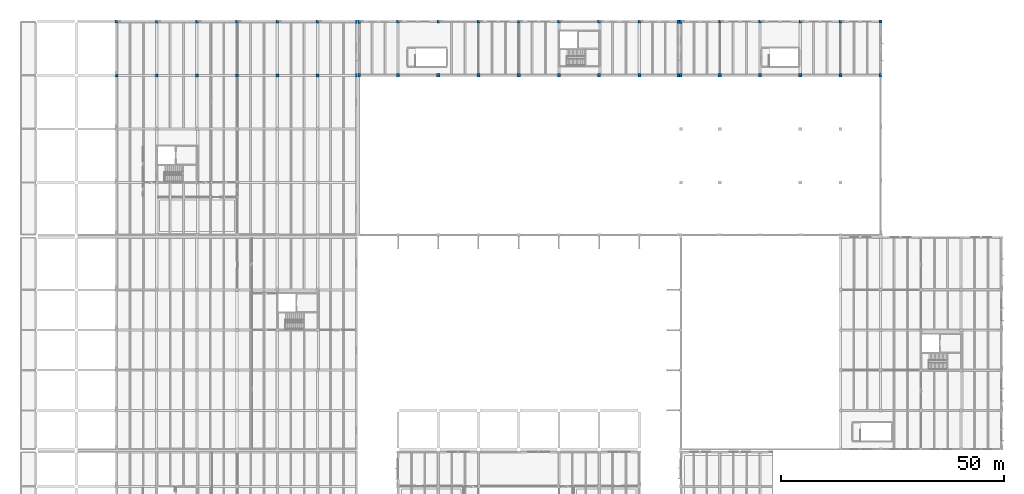
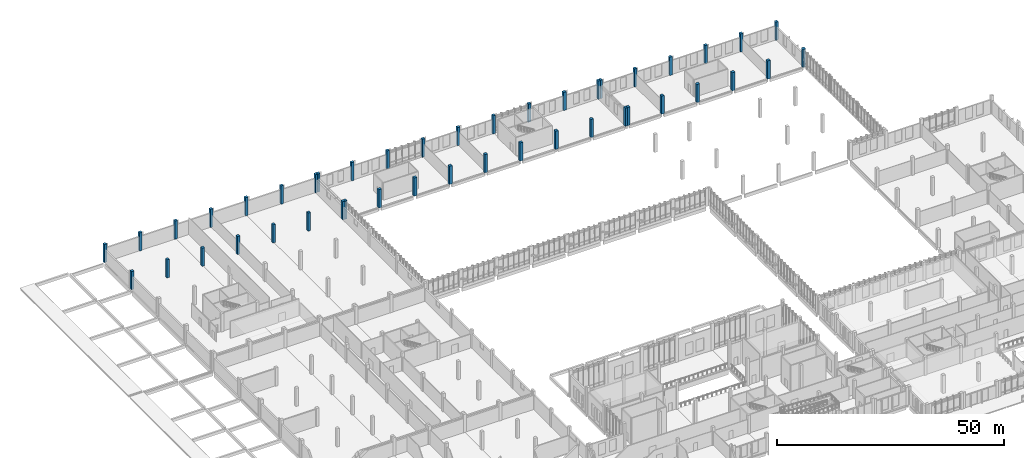
# One storey, part 10 of 110: 44 columns.
"""IFC4 building model written with IfcOpenShell, lengths in metres."""

import ifcopenshell
import ifcopenshell.guid

model = None  # the IFC model being written
_history = None  # IfcOwnerHistory: only IFC2X3 demands one
_inside = {}  # id of a spatial element -> (the spatial element, [elements in it])
_under = {}  # id of a project, library or spatial element -> (it, [spatial elements below it])
_declared = {}  # id of a project -> (the project, [libraries it declares])
_typed = {}  # id of a type object -> (the type object, [elements of that type])
_made_of = {}  # id of a material, layer set ... -> (it, [elements and type objects made of it])


def new_model(schema):
    """Start an empty IFC model of exactly this schema.

    Asked for "IFC4X3", IfcOpenShell would pick the latest addendum, in which some entities
    have other attributes; the version numbers below select the first issue.
    IFC2X3 requires an IfcOwnerHistory on every rooted entity: one is made here for all.
    """
    global model, _history
    if schema == "IFC4X3":
        model = ifcopenshell.file(schema_version=(4, 3, 0, 0))
    else:
        model = ifcopenshell.file(schema=schema)
    _inside.clear()
    _under.clear()
    _declared.clear()
    _typed.clear()
    _made_of.clear()
    _history = None
    if model.schema == "IFC2X3":
        org = make("IfcOrganization", Name="unknown")
        user = make(
            "IfcPersonAndOrganization",
            ThePerson=make("IfcPerson", FamilyName="unknown"),
            TheOrganization=org,
        )
        app = make(
            "IfcApplication",
            ApplicationDeveloper=org,
            Version="unknown",
            ApplicationFullName="unknown",
            ApplicationIdentifier="unknown",
        )
        _history = make(
            "IfcOwnerHistory",
            OwningUser=user,
            OwningApplication=app,
            ChangeAction="ADDED",
            CreationDate=0,
        )
    return model


def make(cls, **values):
    """One entity of the class cls with the attributes given. An attribute that is None is left unset."""
    return model.create_entity(
        cls, **{name: value for name, value in values.items() if value is not None}
    )


def rooted(cls, **values):
    """An entity with a GlobalId (a new one), such as an element, a storey or a relation."""
    return make(cls, GlobalId=ifcopenshell.guid.new(), OwnerHistory=_history, **values)


def si_unit(unit_type, name, prefix=None):
    """IfcSIUnit, for example si_unit("LENGTHUNIT", "METRE", prefix="MILLI")."""
    return make("IfcSIUnit", UnitType=unit_type, Prefix=prefix, Name=name)


def assignment(units):
    """IfcUnitAssignment: the units of a project."""
    return None if units is None else make("IfcUnitAssignment", Units=units)


def point(xyz):
    """IfcCartesianPoint."""
    return None if xyz is None else make("IfcCartesianPoint", Coordinates=xyz)


def direction(xyz):
    """IfcDirection."""
    return None if xyz is None else make("IfcDirection", DirectionRatios=xyz)


def frame(location, z_axis=None, x_axis=None):
    """IfcAxis2Placement3D, a coordinate frame: its origin and axes. An axis left out is left unset."""
    return make(
        "IfcAxis2Placement3D",
        Location=point(location),
        Axis=direction(z_axis),
        RefDirection=direction(x_axis),
    )


def frame_2d(location, x_axis=None):
    """IfcAxis2Placement2D, a coordinate frame in the plane: its origin and x axis."""
    return make(
        "IfcAxis2Placement2D", Location=point(location), RefDirection=direction(x_axis)
    )


def origin():
    """The frame at (0, 0, 0) with its axes left unset."""
    return frame((0.0, 0.0, 0.0))


def origin_2d():
    """The frame at (0, 0) in the plane with its x axis left unset."""
    return frame_2d((0.0, 0.0))


def place(relative_to, where):
    """IfcLocalPlacement: puts the frame where relative to a parent placement (None: the world)."""
    return make(
        "IfcLocalPlacement", PlacementRelTo=relative_to, RelativePlacement=where
    )


def context(
    kind, dimensions, precision=None, world=None, true_north=None, identifier=None
):
    """IfcGeometricRepresentationContext, for example the 3D "Model" context."""
    return make(
        "IfcGeometricRepresentationContext",
        ContextIdentifier=identifier,
        ContextType=kind,
        CoordinateSpaceDimension=dimensions,
        Precision=precision,
        WorldCoordinateSystem=world,
        TrueNorth=true_north,
    )


def subcontext(parent, identifier, kind, view, scale=None):
    """IfcGeometricRepresentationSubContext, for example "Body" below "Model"."""
    return make(
        "IfcGeometricRepresentationSubContext",
        ContextIdentifier=identifier,
        ContextType=kind,
        ParentContext=parent,
        TargetScale=scale,
        TargetView=view,
    )


def project(units=None, contexts=None):
    """IfcProject with its units and contexts."""
    return rooted(
        "IfcProject",
        Name="project",
        RepresentationContexts=contexts,
        UnitsInContext=assignment(units),
    )


def spatial(cls, under=None, at=None, **own):
    """A site, building, storey or space (cls), placed at a placement, below another one or the project."""
    s = rooted(cls, ObjectPlacement=at, **own)
    if under is not None:
        _under.setdefault(under.id(), (under, []))[1].append(s)
    return s


def profile(cls, at=None, kind="AREA", **sizes):
    """A parametric profile (cls). Its sizes go by their IFC names, for example OverallWidth=200.0."""
    return make(cls, ProfileType=kind, Position=at, **sizes)


def rectangle(**sizes):
    """IfcRectangleProfileDef."""
    return profile("IfcRectangleProfileDef", **sizes)


def extrude(swept, where, along, depth):
    """IfcExtrudedAreaSolid: the profile swept, set in the frame where, extruded along a direction by depth."""
    return make(
        "IfcExtrudedAreaSolid",
        SweptArea=swept,
        Position=where,
        ExtrudedDirection=direction(along),
        Depth=depth,
    )


def shape(context_of_items, identifier, shape_type, items):
    """IfcShapeRepresentation: the items that make up one representation, for example the "Body"."""
    return make(
        "IfcShapeRepresentation",
        ContextOfItems=context_of_items,
        RepresentationIdentifier=identifier,
        RepresentationType=shape_type,
        Items=items,
    )


def material(Name=None, Category=None):
    """IfcMaterial."""
    return make("IfcMaterial", Name=Name, Category=Category)


def material_profile(
    of_material, cross_section, Name=None, Category=None, Priority=None
):
    """IfcMaterialProfile: a cross section and its material."""
    return make(
        "IfcMaterialProfile",
        Name=Name,
        Material=of_material,
        Profile=cross_section,
        Priority=Priority,
        Category=Category,
    )


def profile_set(profiles, Name=None, composite=None):
    """IfcMaterialProfileSet."""
    return make(
        "IfcMaterialProfileSet",
        Name=Name,
        MaterialProfiles=profiles,
        CompositeProfile=composite,
    )


def made_of(thing, what):
    """Note that an element or type object is made of a material, layer set ...; save() writes the relation."""
    if what is not None:
        _made_of.setdefault(what.id(), (what, []))[1].append(thing)
    return thing


def type_object(cls, material=None, **own):
    """A type object (cls), such as IfcWallType, which elements share."""
    return made_of(rooted(cls, **own), material)


def element(
    cls,
    number,
    at=None,
    inside=None,
    cuts=None,
    type_object=None,
    material=None,
    context=None,
    identifier="Body",
    shape_type=None,
    held_by="IfcProductDefinitionShape",
    body=None,
    shapes=None,
    **own,
):
    """One element of the class cls, such as IfcWall. Its Tag is "e" and its number.

    at: its placement. inside: the storey or other place that contains it. cuts: it is an
    opening in that element (IfcRelVoidsElement). A single representation is given by context,
    identifier, shape_type and body (its items); several are given by shapes. held_by: the class
    of the entity that holds the representations. save() writes the other relations.
    """
    e = rooted(cls, Tag="e%d" % number, ObjectPlacement=at, **own)
    if body is not None:
        shapes = [shape(context, identifier, shape_type, body)]
    if shapes is not None:
        e.Representation = make(held_by, Representations=shapes)
    if inside is not None:
        _inside.setdefault(inside.id(), (inside, []))[1].append(e)
    if cuts is not None:
        rooted(
            "IfcRelVoidsElement", RelatingBuildingElement=cuts, RelatedOpeningElement=e
        )
    if type_object is not None:
        _typed.setdefault(type_object.id(), (type_object, []))[1].append(e)
    return made_of(e, material)


def aggregate(whole, parts):
    """IfcRelAggregates: a whole, such as a stair, and the parts it consists of."""
    return rooted("IfcRelAggregates", RelatingObject=whole, RelatedObjects=parts)


def save(model, path):
    """Write the relations noted so far, then the file.

    IfcRelAggregates (storeys below a building ...), IfcRelContainedInSpatialStructure (elements
    in a storey), IfcRelDefinesByType, IfcRelAssociatesMaterial and IfcRelDeclares: one each for
    every whole, place, type object, material and project.
    """
    for whole, parts in _under.values():
        aggregate(whole, parts)
    for where, things in _inside.values():
        rooted(
            "IfcRelContainedInSpatialStructure",
            RelatedElements=things,
            RelatingStructure=where,
        )
    for kind, things in _typed.values():
        rooted("IfcRelDefinesByType", RelatedObjects=things, RelatingType=kind)
    for what, things in _made_of.values():
        rooted("IfcRelAssociatesMaterial", RelatedObjects=things, RelatingMaterial=what)
    for by, libraries in _declared.values():
        rooted("IfcRelDeclares", RelatingContext=by, RelatedDefinitions=libraries)
    model.write(path)


model = new_model("IFC4")

# Units and contexts
model_context = context("Model", 3, precision=1e-05, world=origin(), true_north=direction((0.0, 1.0)))
body_context = subcontext(model_context, "Body", "Model", "MODEL_VIEW")
ifc_project = project(units=[si_unit("LENGTHUNIT", "METRE"), si_unit("AREAUNIT", "SQUARE_METRE"), si_unit("VOLUMEUNIT", "CUBIC_METRE"), si_unit("PLANEANGLEUNIT", "RADIAN"), si_unit("MASSUNIT", "GRAM", prefix="KILO")], contexts=[model_context])

# Site, building, storey
site_placement = place(None, origin())
site = spatial("IfcSite", under=ifc_project, at=site_placement, CompositionType="ELEMENT")
building_placement = place(site_placement, origin())
building = spatial("IfcBuilding", under=site, at=building_placement, Name="Zacnel Wholesale Market", CompositionType="ELEMENT")
storey_placement = place(building_placement, frame((0.0, 0.0, 6.300048828125)))
storey = spatial("IfcBuildingStorey", under=building, at=storey_placement, Name="L02", CompositionType="ELEMENT", Elevation=6.300048828125)

# Columns
ifc_material_1 = material(Name="Precast concrete C45/55", Category="concrete")
ifc_material_profile_1 = material_profile(ifc_material_1, rectangle(XDim=0.550048828125, YDim=0.75, at=origin_2d()), Name="PC 550x750")
ifc_profile_set_1 = profile_set([ifc_material_profile_1], Name="Precast concrete C45/55")
column_type_1 = type_object("IfcColumnType", Name="COL-MJ550X750", PredefinedType="COLUMN", material=ifc_profile_set_1)
for number, where, z_axis, x_axis, name in (
    (1, (71.699951171875, 132.0, 0.0), (0.0, 0.0, 1.0), (1.0, 0.0, 0.0), "Precast column L02-0455"),
    (2, (71.699951171875, 144.0, 0.0), (0.0, 0.0, 1.0), (1.0, 0.0, 0.0), "Precast column L02-0456"),
    (3, (72.300048828125, 132.0, 0.0), (0.0, 0.0, 1.0), (1.0, 0.0, 0.0), "Precast column L02-0462"),
    (4, (72.300048828125, 144.0, 0.0), (0.0, 0.0, 1.0), (1.0, 0.0, 0.0), "Precast column L02-0463"),
    (5, (143.699951171875, 132.0, 0.0), (0.0, 0.0, 1.0), (1.0, 0.0, 0.0), "Precast column L02-0528"),
    (6, (143.699951171875, 144.0, 0.0), (0.0, 0.0, 1.0), (1.0, 0.0, 0.0), "Precast column L02-0529"),
    (7, (144.300048828125, 132.0, 0.0), (0.0, 0.0, 1.0), (1.0, 0.0, 0.0), "Precast column L02-0544"),
    (8, (144.300048828125, 144.0, 0.0), (0.0, 0.0, 1.0), (1.0, 0.0, 0.0), "Precast column L02-0545"),
):
    element("IfcColumn", number, at=place(storey_placement, frame(where, z_axis=z_axis, x_axis=x_axis)), inside=storey, type_object=column_type_1, Name=name, PredefinedType="COLUMN", context=body_context, shape_type="SweptSolid", body=[
        extrude(rectangle(XDim=0.550048828125, YDim=0.75, at=origin_2d()), origin(), (0.0, 0.0, 1.0), 4.89990234375),
    ])
ifc_material_2 = material(Name="Precast concrete C45/55", Category="concrete")
ifc_material_profile_2 = material_profile(ifc_material_2, rectangle(XDim=0.64990234375, YDim=0.64990234375, at=origin_2d()), Name="PC 650x650")
ifc_profile_set_2 = profile_set([ifc_material_profile_2], Name="Precast concrete C45/55")
column_type_2 = type_object("IfcColumnType", Name="COL-PC650", PredefinedType="COLUMN", material=ifc_profile_set_2)
for number, where, z_axis, x_axis, name in (
    (9, (18.0, 132.0, 0.0), (0.0, 0.0, 1.0), (1.0, 0.0, 0.0), "Precast column L02-0365"),
    (10, (18.0, 144.0, 0.0), (0.0, 0.0, 1.0), (1.0, 0.0, 0.0), "Precast column L02-0366"),
    (11, (27.0, 132.0, 0.0), (0.0, 0.0, 1.0), (1.0, 0.0, 0.0), "Precast column L02-0380"),
    (12, (27.0, 144.0, 0.0), (0.0, 0.0, 1.0), (1.0, 0.0, 0.0), "Precast column L02-0381"),
    (13, (36.0, 132.0, 0.0), (0.0, 0.0, 1.0), (1.0, 0.0, 0.0), "Precast column L02-0395"),
    (14, (36.0, 144.0, 0.0), (0.0, 0.0, 1.0), (1.0, 0.0, 0.0), "Precast column L02-0396"),
    (15, (45.0, 132.0, 0.0), (0.0, 0.0, 1.0), (1.0, 0.0, 0.0), "Precast column L02-0410"),
    (16, (45.0, 144.0, 0.0), (0.0, 0.0, 1.0), (1.0, 0.0, 0.0), "Precast column L02-0411"),
    (17, (54.0, 132.0, 0.0), (0.0, 0.0, 1.0), (1.0, 0.0, 0.0), "Precast column L02-0425"),
    (18, (54.0, 144.0, 0.0), (0.0, 0.0, 1.0), (1.0, 0.0, 0.0), "Precast column L02-0426"),
    (19, (63.0, 132.0, 0.0), (0.0, 0.0, 1.0), (1.0, 0.0, 0.0), "Precast column L02-0440"),
    (20, (63.0, 144.0, 0.0), (0.0, 0.0, 1.0), (1.0, 0.0, 0.0), "Precast column L02-0441"),
    (21, (81.0, 144.0, 0.0), (0.0, 0.0, 1.0), (1.0, 0.0, 0.0), "Precast column L02-0473"),
    (22, (90.0, 144.0, 0.0), (0.0, 0.0, 1.0), (1.0, 0.0, 0.0), "Precast column L02-0483"),
    (23, (99.0, 144.0, 0.0), (0.0, 0.0, 1.0), (1.0, 0.0, 0.0), "Precast column L02-0493"),
    (24, (108.0, 144.0, 0.0), (0.0, 0.0, 1.0), (1.0, 0.0, 0.0), "Precast column L02-0500"),
    (25, (117.0, 144.0, 0.0), (0.0, 0.0, 1.0), (1.0, 0.0, 0.0), "Precast column L02-0508"),
    (26, (126.0, 144.0, 0.0), (0.0, 0.0, 1.0), (1.0, 0.0, 0.0), "Precast column L02-0516"),
    (27, (135.0, 144.0, 0.0), (0.0, 0.0, 1.0), (1.0, 0.0, 0.0), "Precast column L02-0524"),
    (28, (153.0, 144.0, 0.0), (0.0, 0.0, 1.0), (1.0, 0.0, 0.0), "Precast column L02-0555"),
    (29, (162.0, 144.0, 0.0), (0.0, 0.0, 1.0), (1.0, 0.0, 0.0), "Precast column L02-0565"),
    (30, (171.0, 144.0, 0.0), (0.0, 0.0, 1.0), (1.0, 0.0, 0.0), "Precast column L02-0575"),
    (31, (189.0, 144.0, 0.0), (0.0, 0.0, 1.0), (1.0, 0.0, 0.0), "Precast column L02-0606"),
):
    element("IfcColumn", number, at=place(storey_placement, frame(where, z_axis=z_axis, x_axis=x_axis)), inside=storey, type_object=column_type_2, Name=name, PredefinedType="COLUMN", context=body_context, shape_type="SweptSolid", body=[
        extrude(rectangle(XDim=0.64990234375, YDim=0.64990234375, at=origin_2d()), origin(), (0.0, 0.0, 1.0), 4.89990234375),
    ])
ifc_material_3 = material(Name="Precast concrete C45/55", Category="concrete")
ifc_material_profile_3 = material_profile(ifc_material_3, rectangle(XDim=0.699951171875, YDim=0.699951171875, at=origin_2d()), Name="PC 700x700")
ifc_profile_set_3 = profile_set([ifc_material_profile_3], Name="Precast concrete C45/55")
column_type_3 = type_object("IfcColumnType", Name="COL-PC700", PredefinedType="COLUMN", material=ifc_profile_set_3)
for number, where, z_axis, x_axis, name in (
    (32, (81.0, 132.0, 0.0), (0.0, 0.0, 1.0), (1.0, 0.0, 0.0), "Precast column L02-0472"),
    (33, (90.0, 132.0, 0.0), (0.0, 0.0, 1.0), (1.0, 0.0, 0.0), "Precast column L02-0482"),
    (34, (99.0, 132.0, 0.0), (0.0, 0.0, 1.0), (1.0, 0.0, 0.0), "Precast column L02-0492"),
    (35, (108.0, 132.0, 0.0), (0.0, 0.0, 1.0), (1.0, 0.0, 0.0), "Precast column L02-0499"),
    (36, (117.0, 132.0, 0.0), (0.0, 0.0, 1.0), (1.0, 0.0, 0.0), "Precast column L02-0507"),
    (37, (126.0, 132.0, 0.0), (0.0, 0.0, 1.0), (1.0, 0.0, 0.0), "Precast column L02-0515"),
    (38, (135.0, 132.0, 0.0), (0.0, 0.0, 1.0), (1.0, 0.0, 0.0), "Precast column L02-0523"),
    (39, (153.0, 132.0, 0.0), (0.0, 0.0, 1.0), (1.0, 0.0, 0.0), "Precast column L02-0554"),
    (40, (162.0, 132.0, 0.0), (0.0, 0.0, 1.0), (1.0, 0.0, 0.0), "Precast column L02-0564"),
    (41, (171.0, 132.0, 0.0), (0.0, 0.0, 1.0), (1.0, 0.0, 0.0), "Precast column L02-0574"),
    (42, (180.0, 132.0, 0.0), (0.0, 0.0, 1.0), (1.0, 0.0, 0.0), "Precast column L02-0589"),
    (43, (180.0, 144.0, 0.0), (0.0, 0.0, 1.0), (1.0, 0.0, 0.0), "Precast column L02-0590"),
    (44, (189.0, 132.0, 0.0), (0.0, 0.0, 1.0), (1.0, 0.0, 0.0), "Precast column L02-0605"),
):
    element("IfcColumn", number, at=place(storey_placement, frame(where, z_axis=z_axis, x_axis=x_axis)), inside=storey, type_object=column_type_3, Name=name, PredefinedType="COLUMN", context=body_context, shape_type="SweptSolid", body=[
        extrude(rectangle(XDim=0.699951171875, YDim=0.699951171875, at=origin_2d()), origin(), (0.0, 0.0, 1.0), 4.89990234375),
    ])

save(model, "model.ifc")
